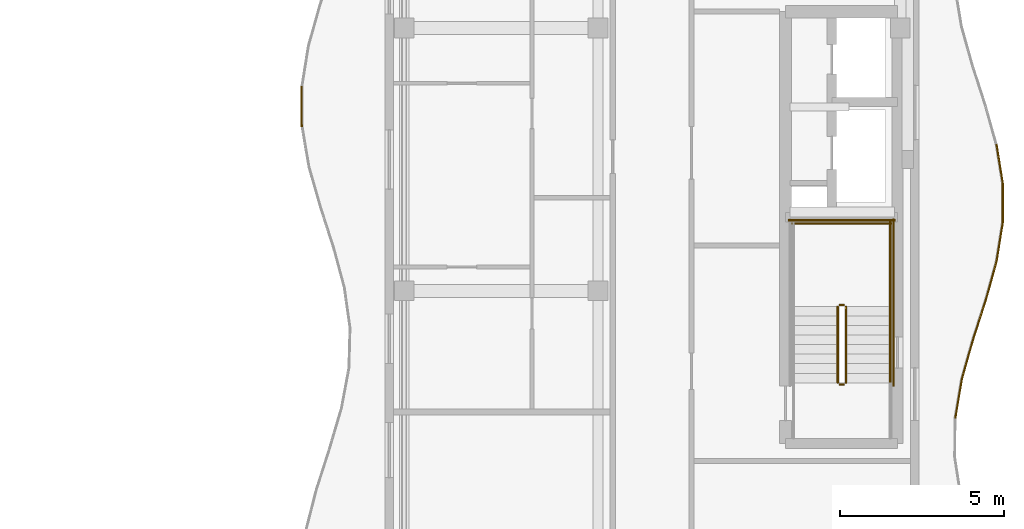
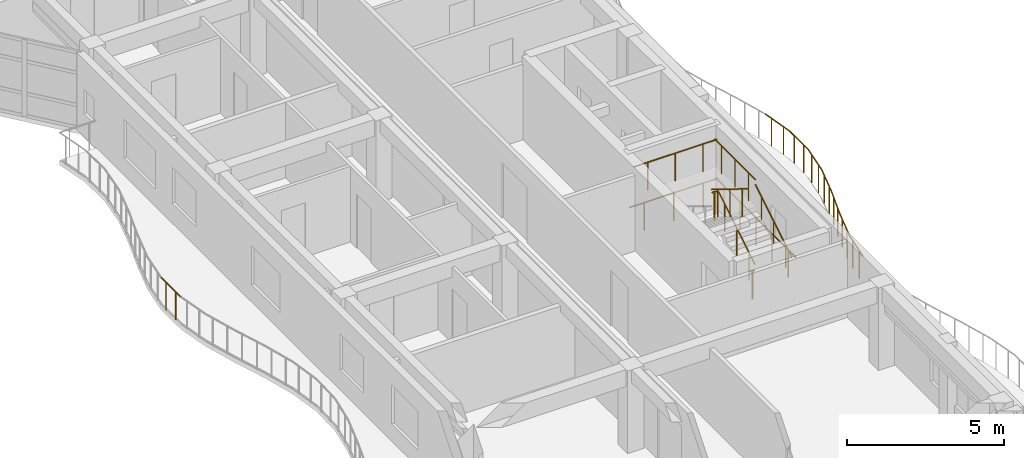
# One storey, part 75 of 79: 17 railings.
"""IFC4 building model written with IfcOpenShell, lengths in metres."""

from ifc_helpers import new_model, si_unit, direction, frame, origin, origin_2d, place, context, subcontext, project, spatial, circle, extrude, material, type_object, element, save


model = new_model("IFC4")

# Units and contexts
model_context = context("Model", 3, precision=1e-05, world=origin(), true_north=direction((0.0, 1.0)))
body_context = subcontext(model_context, "Body", "Model", "MODEL_VIEW")
ifc_project = project(units=[si_unit("LENGTHUNIT", "METRE"), si_unit("AREAUNIT", "SQUARE_METRE"), si_unit("VOLUMEUNIT", "CUBIC_METRE"), si_unit("PLANEANGLEUNIT", "RADIAN"), si_unit("MASSUNIT", "GRAM", prefix="KILO")], contexts=[model_context])

# Site, building, storey
site_placement = place(None, origin())
site = spatial("IfcSite", under=ifc_project, at=site_placement, CompositionType="ELEMENT")
building_placement = place(site_placement, origin())
building = spatial("IfcBuilding", under=site, at=building_placement, Name="Keldmere Railside Commons", CompositionType="ELEMENT")
storey_placement = place(building_placement, frame((0.0, 0.0, 10.56005859375)))
storey = spatial("IfcBuildingStorey", under=building, at=storey_placement, Name="L03", CompositionType="ELEMENT", Elevation=10.56005859375)

# Railings
ifc_material = material(Name="Steel F-24 (S235)", Category="steel")
railing_type_1 = type_object("IfcRailingType", Name="Balcony & Terrace Steel Balustrade 1100", PredefinedType="BALUSTRADE", material=ifc_material)
railing_1_placement = place(storey_placement, frame((165.330322265625, 77.0, 0.0)))
element("IfcRailing", 1, at=railing_1_placement, inside=storey, type_object=railing_type_1, Name="GR-1 GRD-L03-3470", PredefinedType="BALUSTRADE", context=body_context, shape_type="SweptSolid", body=[
    extrude(circle(Radius=0.02392578125, at=origin_2d()), frame((0.0, 0.0, 1.076171875), z_axis=(-0.005779098391, 0.999983300871, 0.0), x_axis=(-0.999983300871, -0.005779098391, 0.0)), (0.0, 0.0, 1.0), 1.22509765625),
    extrude(circle(Radius=0.02099609375, at=origin_2d()), frame((-0.001708984375, 0.30615234375, 0.0)), (0.0, 0.0, 1.0), 1.048095703125),
    extrude(circle(Radius=0.02099609375, at=origin_2d()), frame((-0.00537109375, 0.9189453125, 0.0)), (0.0, 0.0, 1.0), 1.048095703125),
])
railing_2_placement = place(storey_placement, frame((185.22998046875, 68.125, 0.0)))
element("IfcRailing", 2, at=railing_2_placement, inside=storey, type_object=railing_type_1, Name="GR-1 GRD-L03-3489", PredefinedType="BALUSTRADE", context=body_context, shape_type="SweptSolid", body=[
    extrude(circle(Radius=0.02392578125, at=origin_2d()), frame((0.0, 0.0, 1.076171875), z_axis=(0.165283608442, 0.986246079222, 0.0), x_axis=(-0.986246079222, 0.165283608442, 0.0)), (0.0, 0.0, 1.0), 1.208251953125),
    extrude(circle(Radius=0.02099609375, at=origin_2d()), frame((0.0498046875, 0.2978515625, 0.0)), (0.0, 0.0, 1.0), 1.048095703125),
    extrude(circle(Radius=0.02099609375, at=origin_2d()), frame((0.14990234375, 0.893798828125, 0.0)), (0.0, 0.0, 1.0), 1.048095703125),
])
railing_3_placement = place(storey_placement, frame((185.4296875, 69.316650390625, 0.0)))
element("IfcRailing", 3, at=railing_3_placement, inside=storey, type_object=railing_type_1, Name="GR-1 GRD-L03-3490", PredefinedType="BALUSTRADE", context=body_context, shape_type="SweptSolid", body=[
    extrude(circle(Radius=0.02392578125, at=origin_2d()), frame((0.0, 0.0, 1.076171875), z_axis=(0.272246702869, 0.962227484942, 0.0), x_axis=(-0.962227484942, 0.272246702869, 0.0)), (0.0, 0.0, 1.0), 1.238525390625),
    extrude(circle(Radius=0.02099609375, at=origin_2d()), frame((0.084228515625, 0.2978515625, 0.0)), (0.0, 0.0, 1.0), 1.048095703125),
    extrude(circle(Radius=0.02099609375, at=origin_2d()), frame((0.2529296875, 0.893798828125, 0.0)), (0.0, 0.0, 1.0), 1.048095703125),
])
railing_4_placement = place(storey_placement, frame((185.766845703125, 70.50830078125, 0.0)))
element("IfcRailing", 4, at=railing_4_placement, inside=storey, type_object=railing_type_1, Name="GR-1 GRD-L03-3491", PredefinedType="BALUSTRADE", context=body_context, shape_type="SweptSolid", body=[
    extrude(circle(Radius=0.02392578125, at=origin_2d()), frame((0.0, 0.0, 1.076171875), z_axis=(0.307794335351, 0.951452913772, 0.0), x_axis=(-0.951452913772, 0.307794335351, 0.0)), (0.0, 0.0, 1.0), 1.25244140625),
    extrude(circle(Radius=0.02099609375, at=origin_2d()), frame((0.096435546875, 0.2978515625, 0.0)), (0.0, 0.0, 1.0), 1.048095703125),
    extrude(circle(Radius=0.02099609375, at=origin_2d()), frame((0.2890625, 0.893798828125, 0.0)), (0.0, 0.0, 1.0), 1.048095703125),
])
railing_5_placement = place(storey_placement, frame((186.15234375, 71.699951171875, 0.0)))
element("IfcRailing", 5, at=railing_5_placement, inside=storey, type_object=railing_type_1, Name="GR-1 GRD-L03-3492", PredefinedType="BALUSTRADE", context=body_context, shape_type="SweptSolid", body=[
    extrude(circle(Radius=0.02392578125, at=origin_2d()), frame((0.0, 0.0, 1.076171875), z_axis=(0.268407199883, 0.96330554605, 0.0), x_axis=(-0.96330554605, 0.268407199883, 0.0)), (0.0, 0.0, 1.0), 1.237060546875),
    extrude(circle(Radius=0.02099609375, at=origin_2d()), frame((0.0830078125, 0.2978515625, 0.0)), (0.0, 0.0, 1.0), 1.048095703125),
    extrude(circle(Radius=0.02099609375, at=origin_2d()), frame((0.2490234375, 0.893798828125, 0.0)), (0.0, 0.0, 1.0), 1.048095703125),
])
railing_6_placement = place(storey_placement, frame((186.484375, 72.8916015625, 0.0)))
element("IfcRailing", 6, at=railing_6_placement, inside=storey, type_object=railing_type_1, Name="GR-1 GRD-L03-3493", PredefinedType="BALUSTRADE", context=body_context, shape_type="SweptSolid", body=[
    extrude(circle(Radius=0.02392578125, at=origin_2d()), frame((0.0, 0.0, 1.076171875), z_axis=(0.158195634257, 0.987407788759, 0.0), x_axis=(-0.987407788759, 0.158195634257, 0.0)), (0.0, 0.0, 1.0), 1.206787109375),
    extrude(circle(Radius=0.02099609375, at=origin_2d()), frame((0.0478515625, 0.2978515625, 0.0)), (0.0, 0.0, 1.0), 1.048095703125),
    extrude(circle(Radius=0.02099609375, at=origin_2d()), frame((0.14306640625, 0.893798828125, 0.0)), (0.0, 0.0, 1.0), 1.048095703125),
])
railing_7_placement = place(storey_placement, frame((186.67529296875, 74.083251953125, 0.0)))
element("IfcRailing", 7, at=railing_7_placement, inside=storey, type_object=railing_type_1, Name="GR-1 GRD-L03-3494", PredefinedType="BALUSTRADE", context=body_context, shape_type="SweptSolid", body=[
    extrude(circle(Radius=0.02392578125, at=origin_2d()), frame((0.0, 0.0, 1.076171875), z_axis=(-0.000819503925, 0.999999664207, 0.0), x_axis=(-0.999999664207, -0.000819503925, 0.0)), (0.0, 0.0, 1.0), 1.191650390625),
    extrude(circle(Radius=0.02099609375, at=origin_2d()), frame((-0.000244140625, 0.2978515625, 0.0)), (0.0, 0.0, 1.0), 1.048095703125),
    extrude(circle(Radius=0.02099609375, at=origin_2d()), frame((-0.000732421875, 0.893798828125, 0.0)), (0.0, 0.0, 1.0), 1.048095703125),
])
railing_8_placement = place(storey_placement, frame((186.67431640625, 75.27490234375, 0.0)))
element("IfcRailing", 8, at=railing_8_placement, inside=storey, type_object=railing_type_1, Name="GR-1 GRD-L03-3495", PredefinedType="BALUSTRADE", context=body_context, shape_type="SweptSolid", body=[
    extrude(circle(Radius=0.02392578125, at=origin_2d()), frame((0.0, 0.0, 1.076171875), z_axis=(-0.159346876905, 0.987222656152, 0.0), x_axis=(-0.987222656152, -0.159346876905, 0.0)), (0.0, 0.0, 1.0), 1.207275390625),
    extrude(circle(Radius=0.02099609375, at=origin_2d()), frame((-0.048095703125, 0.2978515625, 0.0)), (0.0, 0.0, 1.0), 1.048095703125),
    extrude(circle(Radius=0.02099609375, at=origin_2d()), frame((-0.144287109375, 0.89404296875, 0.0)), (0.0, 0.0, 1.0), 1.048095703125),
])
railing_type_2 = type_object("IfcRailingType", Name="Stair Well Steel Guardrail 1100", PredefinedType="BALUSTRADE", material=ifc_material)
railing_9_placement = place(storey_placement, frame((181.89990234375, 69.199951171875, 0.177734375)))
element("IfcRailing", 9, at=railing_9_placement, inside=storey, type_object=railing_type_2, Name="L03 ST-A1 stair guard 1", PredefinedType="BALUSTRADE", context=body_context, shape_type="SweptSolid", body=[
    extrude(circle(Radius=0.02392578125, at=origin_2d()), frame((0.0, 0.0, 1.076171875), z_axis=(0.0, 0.852578041948, 0.522599925744), x_axis=(-1.0, 0.0, 0.0)), (0.0, 0.0, 1.0), 2.72119140625),
    extrude(circle(Radius=0.02099609375, at=origin_2d()), frame((0.0, 0.38671875, 0.237060546875)), (0.0, 0.0, 1.0), 1.048095703125),
    extrude(circle(Radius=0.02099609375, at=origin_2d()), frame((0.0, 1.16015625, 0.7109375)), (0.0, 0.0, 1.0), 1.048095703125),
    extrude(circle(Radius=0.02099609375, at=origin_2d()), frame((0.0, 1.933349609375, 1.18505859375)), (0.0, 0.0, 1.0), 1.048095703125),
])
railing_10_placement = place(storey_placement, frame((181.85009765625, 71.570068359375, 1.599853515625)))
element("IfcRailing", 10, at=railing_10_placement, inside=storey, type_object=railing_type_2, Name="L03 ST-A1 stair guard 2", PredefinedType="BALUSTRADE", context=body_context, shape_type="SweptSolid", body=[
    extrude(circle(Radius=0.02392578125, at=origin_2d()), frame((0.0, 0.0, 1.076171875), z_axis=(-1.0, 0.0, 0.0), x_axis=(0.0, -1.0, 0.0)), (0.0, 0.0, 1.0), 0.150146484375),
    extrude(circle(Radius=0.02099609375, at=origin_2d()), frame((-0.0751953125, 0.0, 0.0)), (0.0, 0.0, 1.0), 1.048095703125),
])
railing_11_placement = place(storey_placement, frame((183.25, 71.52001953125, 1.599853515625)))
element("IfcRailing", 11, at=railing_11_placement, inside=storey, type_object=railing_type_2, Name="L03 ST-A1 stair guard 3", PredefinedType="BALUSTRADE", context=body_context, shape_type="SweptSolid", body=[
    extrude(circle(Radius=0.02392578125, at=origin_2d()), frame((0.0, 0.0, 1.076171875), z_axis=(0.0, 1.0, 0.0), x_axis=(-1.0, 0.0, 0.0)), (0.0, 0.0, 1.0), 2.580078125),
    extrude(circle(Radius=0.02099609375, at=origin_2d()), frame((0.0, 0.429931640625, 0.0)), (0.0, 0.0, 1.0), 1.048095703125),
    extrude(circle(Radius=0.02099609375, at=origin_2d()), frame((0.0, 1.2900390625, 0.0)), (0.0, 0.0, 1.0), 1.048095703125),
    extrude(circle(Radius=0.02099609375, at=origin_2d()), frame((0.0, 2.150146484375, 0.0)), (0.0, 0.0, 1.0), 1.048095703125),
])
railing_12_placement = place(storey_placement, frame((183.300048828125, 74.050048828125, 1.599853515625)))
element("IfcRailing", 12, at=railing_12_placement, inside=storey, type_object=railing_type_2, Name="L03 ST-A1 stair guard 5", PredefinedType="BALUSTRADE", context=body_context, shape_type="SweptSolid", body=[
    extrude(circle(Radius=0.02392578125, at=origin_2d()), frame((0.0, 0.0, 1.076171875), z_axis=(-1.0, 0.0, 0.0), x_axis=(0.0, -1.0, 0.0)), (0.0, 0.0, 1.0), 3.050048828125),
    extrude(circle(Radius=0.02099609375, at=origin_2d()), frame((-0.50830078125, 0.0, 0.0)), (0.0, 0.0, 1.0), 1.048095703125),
    extrude(circle(Radius=0.02099609375, at=origin_2d()), frame((-1.52490234375, 0.0, 0.0)), (0.0, 0.0, 1.0), 1.048095703125),
    extrude(circle(Radius=0.02099609375, at=origin_2d()), frame((-2.541748046875, 0.0, 0.0)), (0.0, 0.0, 1.0), 1.048095703125),
])
railing_13_placement = place(storey_placement, frame((181.64990234375, 71.52001953125, 1.77783203125)))
element("IfcRailing", 13, at=railing_13_placement, inside=storey, type_object=railing_type_2, Name="L03 ST-A1 stair guard 6", PredefinedType="BALUSTRADE", context=body_context, shape_type="SweptSolid", body=[
    extrude(circle(Radius=0.02392578125, at=origin_2d()), frame((0.0, 0.0, 1.076171875), z_axis=(0.0, -0.852578041948, 0.522599925744), x_axis=(1.0, 0.0, 0.0)), (0.0, 0.0, 1.0), 2.72119140625),
    extrude(circle(Radius=0.02099609375, at=origin_2d()), frame((0.0, -0.38671875, 0.237060546875)), (0.0, 0.0, 1.0), 1.048095703125),
    extrude(circle(Radius=0.02099609375, at=origin_2d()), frame((0.0, -1.16015625, 0.7109375)), (0.0, 0.0, 1.0), 1.048095703125),
    extrude(circle(Radius=0.02099609375, at=origin_2d()), frame((0.0, -1.933349609375, 1.18505859375)), (0.0, 0.0, 1.0), 1.048095703125),
])
railing_14_placement = place(storey_placement, frame((181.85009765625, 69.14990234375, 0.0)))
element("IfcRailing", 14, at=railing_14_placement, inside=storey, type_object=railing_type_2, Name="L03 ST-A1 stair guard 7", PredefinedType="BALUSTRADE", context=body_context, shape_type="SweptSolid", body=[
    extrude(circle(Radius=0.02392578125, at=origin_2d()), frame((0.0, 0.0, 1.076171875), z_axis=(-1.0, 0.0, 0.0), x_axis=(0.0, -1.0, 0.0)), (0.0, 0.0, 1.0), 0.150146484375),
    extrude(circle(Radius=0.02099609375, at=origin_2d()), frame((-0.0751953125, 0.0, 0.0)), (0.0, 0.0, 1.0), 1.048095703125),
])
railing_15_placement = place(storey_placement, frame((183.35009765625, 69.10009765625, 0.0)))
element("IfcRailing", 15, at=railing_15_placement, inside=storey, type_object=railing_type_2, Name="L03 ST-A1 stair guard 10", PredefinedType="BALUSTRADE", context=body_context, shape_type="SweptSolid", body=[
    extrude(circle(Radius=0.02392578125, at=origin_2d()), frame((0.0, 0.0, 1.076171875), z_axis=(0.0, 1.0, 0.0), x_axis=(-1.0, 0.0, 0.0)), (0.0, 0.0, 1.0), 5.099853515625),
    extrude(circle(Radius=0.02099609375, at=origin_2d()), frame((0.0, 0.510009765625, 0.0)), (0.0, 0.0, 1.0), 1.048095703125),
    extrude(circle(Radius=0.02099609375, at=origin_2d()), frame((0.0, 1.530029296875, 0.0)), (0.0, 0.0, 1.0), 1.048095703125),
    extrude(circle(Radius=0.02099609375, at=origin_2d()), frame((0.0, 2.5498046875, 0.0)), (0.0, 0.0, 1.0), 1.048095703125),
    extrude(circle(Radius=0.02099609375, at=origin_2d()), frame((0.0, 3.56982421875, 0.0)), (0.0, 0.0, 1.0), 1.048095703125),
    extrude(circle(Radius=0.02099609375, at=origin_2d()), frame((0.0, 4.58984375, 0.0)), (0.0, 0.0, 1.0), 1.048095703125),
])
railing_16_placement = place(storey_placement, frame((183.39990234375, 74.14990234375, 0.0)))
element("IfcRailing", 16, at=railing_16_placement, inside=storey, type_object=railing_type_2, Name="L03 ST-A1 stair guard 12", PredefinedType="BALUSTRADE", context=body_context, shape_type="SweptSolid", body=[
    extrude(circle(Radius=0.02392578125, at=origin_2d()), frame((0.0, 0.0, 1.076171875), z_axis=(-1.0, 0.0, 0.0), x_axis=(0.0, -1.0, 0.0)), (0.0, 0.0, 1.0), 3.25),
    extrude(circle(Radius=0.02099609375, at=origin_2d()), frame((-0.541748046875, 0.0, 0.0)), (0.0, 0.0, 1.0), 1.048095703125),
    extrude(circle(Radius=0.02099609375, at=origin_2d()), frame((-1.625, 0.0, 0.0)), (0.0, 0.0, 1.0), 1.048095703125),
    extrude(circle(Radius=0.02099609375, at=origin_2d()), frame((-2.708251953125, 0.0, 0.0)), (0.0, 0.0, 1.0), 1.048095703125),
])
railing_type_3 = type_object("IfcRailingType", Name="Wall-Mounted Tubular Steel Handrail 900", PredefinedType="HANDRAIL", material=ifc_material)
railing_17_placement = place(storey_placement, frame((183.25, 69.199951171875, 0.177734375)))
element("IfcRailing", 17, at=railing_17_placement, inside=storey, type_object=railing_type_3, Name="L03 ST-A1 stair handrail 1", PredefinedType="HANDRAIL", context=body_context, shape_type="SweptSolid", body=[
    extrude(circle(Radius=0.02392578125, at=origin_2d()), frame((0.0, 0.0, 0.8759765625), z_axis=(0.0, 0.852578041948, 0.522599925744), x_axis=(-1.0, 0.0, 0.0)), (0.0, 0.0, 1.0), 2.72119140625),
    extrude(circle(Radius=0.02099609375, at=origin_2d()), frame((0.0, 0.38671875, 0.237060546875)), (0.0, 0.0, 1.0), 0.847900390625),
    extrude(circle(Radius=0.02099609375, at=origin_2d()), frame((0.0, 1.16015625, 0.7109375)), (0.0, 0.0, 1.0), 0.847900390625),
    extrude(circle(Radius=0.02099609375, at=origin_2d()), frame((0.0, 1.933349609375, 1.18505859375)), (0.0, 0.0, 1.0), 0.847900390625),
])

save(model, "model.ifc")
